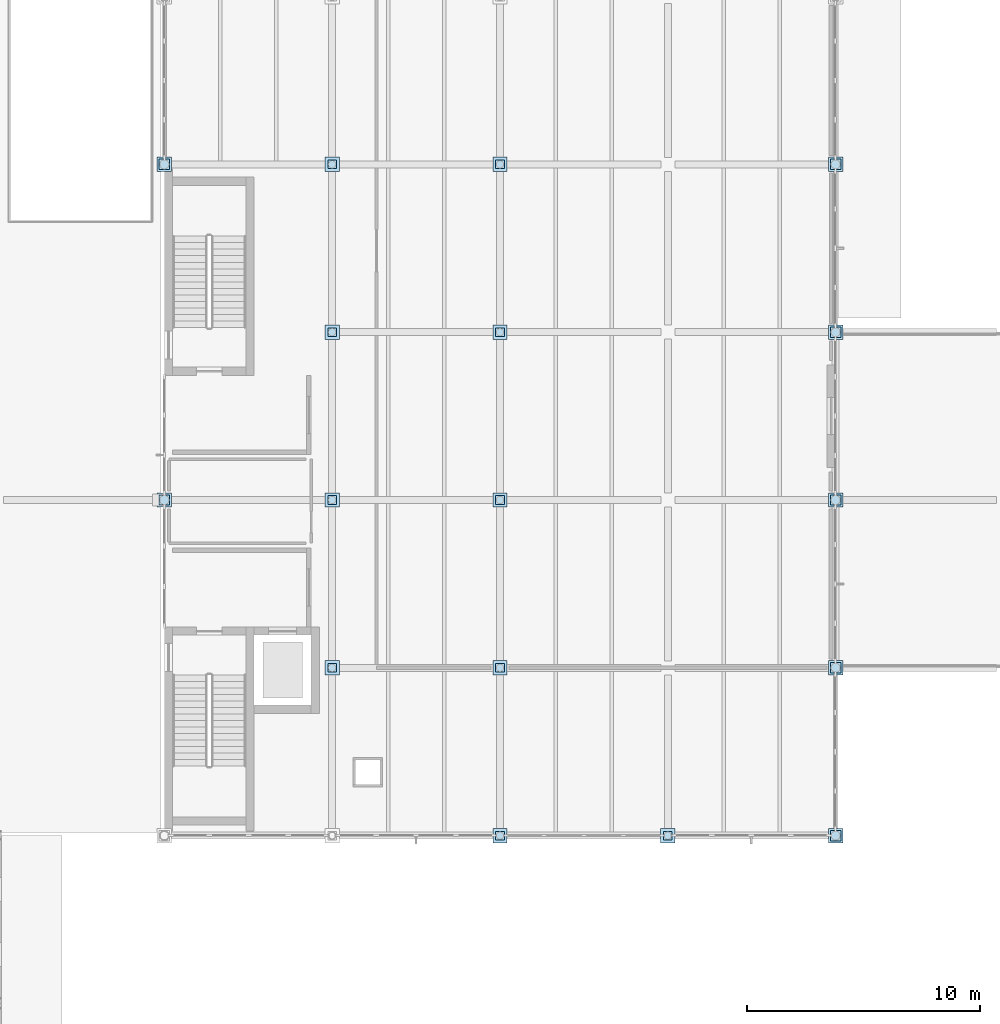
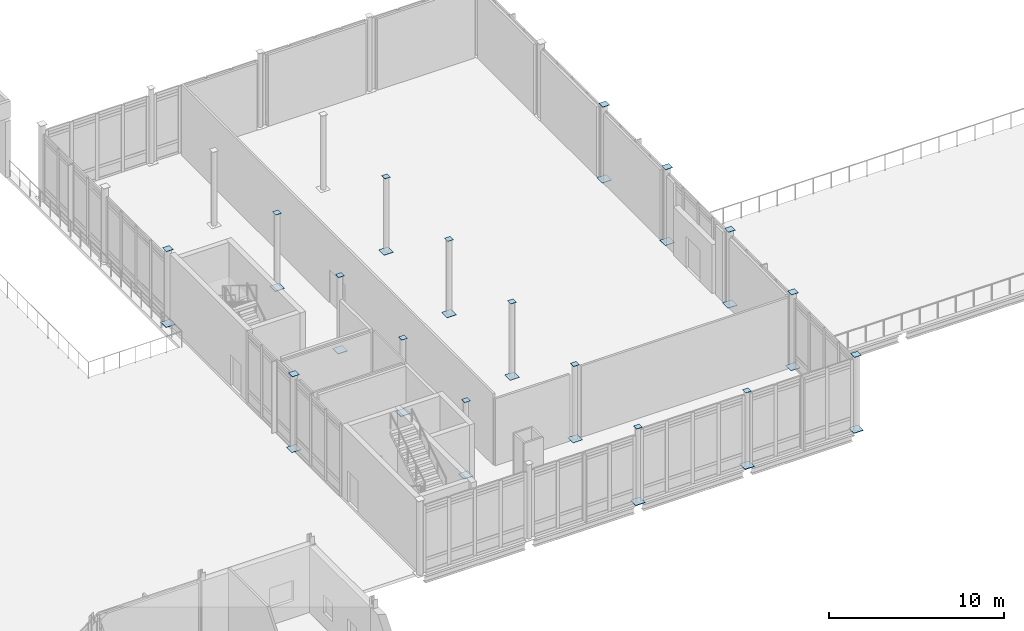
# One storey, part 54 of 89: 34 plates.
"""IFC4 building model written with IfcOpenShell, lengths in metres."""

from ifc_helpers import new_model, si_unit, direction, frame, origin, origin_2d, place, context, subcontext, project, spatial, rectangle, extrude, material, layer, layer_set, type_object, element, save


model = new_model("IFC4")

# Units and contexts
model_context = context("Model", 3, precision=1e-05, world=origin(), true_north=direction((0.0, 1.0)))
body_context = subcontext(model_context, "Body", "Model", "MODEL_VIEW")
ifc_project = project(units=[si_unit("LENGTHUNIT", "METRE"), si_unit("AREAUNIT", "SQUARE_METRE"), si_unit("VOLUMEUNIT", "CUBIC_METRE"), si_unit("PLANEANGLEUNIT", "RADIAN"), si_unit("MASSUNIT", "GRAM", prefix="KILO")], contexts=[model_context])

# Site, building, storey
site_placement = place(None, origin())
site = spatial("IfcSite", under=ifc_project, at=site_placement, CompositionType="ELEMENT")
building_placement = place(site_placement, origin())
building = spatial("IfcBuilding", under=site, at=building_placement, Name="Zarrinpeak Specialist Clinic", CompositionType="ELEMENT")
storey_placement = place(building_placement, origin())
storey = spatial("IfcBuildingStorey", under=building, at=storey_placement, Name="L00", CompositionType="ELEMENT", Elevation=0.0)

# Plates
ifc_material = material(Name="Steel S355", Category="steel")
ifc_layer_1 = layer(ifc_material, 0.035888671875)
ifc_layer_set_1 = layer_set([ifc_layer_1], Name="Steel S355")
plate_type_1 = type_object("IfcPlateType", Name="PL-BP500", PredefinedType="SHEET", material=ifc_layer_set_1)
for number, where, z_axis, x_axis, name in (
    (1, (93.60009765625, 43.199951171875, -0.03173828125), (0.0, 0.0, 1.0), (1.0, 0.0, 0.0), "L00 Hollow Column Baseplate CCAP-B-010"),
    (2, (93.60009765625, 57.60009765625, -0.03173828125), (0.0, 0.0, 1.0), (1.0, 0.0, 0.0), "L00 Hollow Column Baseplate CCAP-B-012"),
    (3, (100.800048828125, 36.0, -0.03173828125), (0.0, 0.0, 1.0), (1.0, 0.0, 0.0), "L00 Hollow Column Baseplate CCAP-B-020"),
    (4, (100.800048828125, 43.199951171875, -0.03173828125), (0.0, 0.0, 1.0), (1.0, 0.0, 0.0), "L00 Hollow Column Baseplate CCAP-B-022"),
    (5, (100.800048828125, 50.39990234375, -0.03173828125), (0.0, 0.0, 1.0), (1.0, 0.0, 0.0), "L00 Hollow Column Baseplate CCAP-B-024"),
    (6, (100.800048828125, 57.60009765625, -0.03173828125), (0.0, 0.0, 1.0), (1.0, 0.0, 0.0), "L00 Hollow Column Baseplate CCAP-B-026"),
    (7, (108.0, 28.800048828125, -0.03173828125), (0.0, 0.0, 1.0), (1.0, 0.0, 0.0), "L00 Hollow Column Baseplate CCAP-B-032"),
    (8, (108.0, 36.0, -0.03173828125), (0.0, 0.0, 1.0), (1.0, 0.0, 0.0), "L00 Hollow Column Baseplate CCAP-B-034"),
    (9, (108.0, 43.199951171875, -0.03173828125), (0.0, 0.0, 1.0), (1.0, 0.0, 0.0), "L00 Hollow Column Baseplate CCAP-B-036"),
    (10, (108.0, 50.39990234375, -0.03173828125), (0.0, 0.0, 1.0), (1.0, 0.0, 0.0), "L00 Hollow Column Baseplate CCAP-B-038"),
    (11, (108.0, 57.60009765625, -0.03173828125), (0.0, 0.0, 1.0), (1.0, 0.0, 0.0), "L00 Hollow Column Baseplate CCAP-B-040"),
    (12, (115.199951171875, 28.800048828125, -0.03173828125), (0.0, 0.0, 1.0), (1.0, 0.0, 0.0), "L00 Hollow Column Baseplate CCAP-B-046"),
    (13, (122.39990234375, 28.800048828125, -0.03173828125), (0.0, 0.0, 1.0), (1.0, 0.0, 0.0), "L00 Hollow Column Baseplate CCAP-B-050"),
    (14, (122.39990234375, 36.0, -0.03173828125), (0.0, 0.0, 1.0), (1.0, 0.0, 0.0), "L00 Hollow Column Baseplate CCAP-B-052"),
    (15, (122.39990234375, 43.199951171875, -0.03173828125), (0.0, 0.0, 1.0), (1.0, 0.0, 0.0), "L00 Hollow Column Baseplate CCAP-B-054"),
    (16, (122.39990234375, 50.39990234375, -0.03173828125), (0.0, 0.0, 1.0), (1.0, 0.0, 0.0), "L00 Hollow Column Baseplate CCAP-B-056"),
    (17, (122.39990234375, 57.60009765625, -0.03173828125), (0.0, 0.0, 1.0), (1.0, 0.0, 0.0), "L00 Hollow Column Baseplate CCAP-B-058"),
):
    element("IfcPlate", number, at=place(storey_placement, frame(where, z_axis=z_axis, x_axis=x_axis)), inside=storey, type_object=plate_type_1, Name=name, PredefinedType="SHEET", context=body_context, shape_type="SweptSolid", body=[
        extrude(rectangle(XDim=0.6201171875, YDim=0.6201171875, at=origin_2d()), origin(), (0.0, 0.0, 1.0), 0.035888671875),
    ])
ifc_layer_2 = layer(ifc_material, 0.02001953125)
ifc_layer_set_2 = layer_set([ifc_layer_2], Name="Steel S355")
plate_type_2 = type_object("IfcPlateType", Name="PL-CAP324", PredefinedType="SHEET", material=ifc_layer_set_2)
for number, where, z_axis, x_axis, name in (
    (18, (100.800048828125, 36.0, 5.196044921875), (0.0, 0.0, 1.0), (1.0, 0.0, 0.0), "L00 Hollow Column Top Cap Plate CCAP-T-019"),
    (19, (100.800048828125, 43.199951171875, 5.196044921875), (0.0, 0.0, 1.0), (1.0, 0.0, 0.0), "L00 Hollow Column Top Cap Plate CCAP-T-021"),
    (20, (100.800048828125, 50.39990234375, 5.196044921875), (0.0, 0.0, 1.0), (1.0, 0.0, 0.0), "L00 Hollow Column Top Cap Plate CCAP-T-023"),
    (21, (100.800048828125, 57.60009765625, 5.196044921875), (0.0, 0.0, 1.0), (1.0, 0.0, 0.0), "L00 Hollow Column Top Cap Plate CCAP-T-025"),
    (22, (108.0, 28.800048828125, 5.196044921875), (0.0, 0.0, 1.0), (1.0, 0.0, 0.0), "L00 Hollow Column Top Cap Plate CCAP-T-031"),
    (23, (108.0, 36.0, 5.196044921875), (0.0, 0.0, 1.0), (1.0, 0.0, 0.0), "L00 Hollow Column Top Cap Plate CCAP-T-033"),
    (24, (108.0, 43.199951171875, 5.196044921875), (0.0, 0.0, 1.0), (1.0, 0.0, 0.0), "L00 Hollow Column Top Cap Plate CCAP-T-035"),
    (25, (108.0, 50.39990234375, 5.196044921875), (0.0, 0.0, 1.0), (1.0, 0.0, 0.0), "L00 Hollow Column Top Cap Plate CCAP-T-037"),
    (26, (108.0, 57.60009765625, 5.196044921875), (0.0, 0.0, 1.0), (1.0, 0.0, 0.0), "L00 Hollow Column Top Cap Plate CCAP-T-039"),
    (27, (115.199951171875, 28.800048828125, 5.196044921875), (0.0, 0.0, 1.0), (1.0, 0.0, 0.0), "L00 Hollow Column Top Cap Plate CCAP-T-045"),
):
    element("IfcPlate", number, at=place(storey_placement, frame(where, z_axis=z_axis, x_axis=x_axis)), inside=storey, type_object=plate_type_2, Name=name, PredefinedType="SHEET", context=body_context, shape_type="SweptSolid", body=[
        extrude(rectangle(XDim=0.3701171875, YDim=0.3701171875, at=origin_2d()), origin(), (0.0, 0.0, 1.0), 0.02001953125),
    ])
ifc_layer_3 = layer(ifc_material, 0.02197265625)
ifc_layer_set_3 = layer_set([ifc_layer_3], Name="Steel S355")
plate_type_3 = type_object("IfcPlateType", Name="PL-CAP406", PredefinedType="SHEET", material=ifc_layer_set_3)
for number, where, z_axis, x_axis, name in (
    (28, (93.60009765625, 43.199951171875, 5.196044921875), (0.0, 0.0, 1.0), (1.0, 0.0, 0.0), "L00 Hollow Column Top Cap Plate CCAP-T-009"),
    (29, (93.60009765625, 57.60009765625, 5.196044921875), (0.0, 0.0, 1.0), (1.0, 0.0, 0.0), "L00 Hollow Column Top Cap Plate CCAP-T-011"),
    (30, (122.39990234375, 28.800048828125, 5.196044921875), (0.0, 0.0, 1.0), (1.0, 0.0, 0.0), "L00 Hollow Column Top Cap Plate CCAP-T-049"),
    (31, (122.39990234375, 36.0, 5.196044921875), (0.0, 0.0, 1.0), (1.0, 0.0, 0.0), "L00 Hollow Column Top Cap Plate CCAP-T-051"),
    (32, (122.39990234375, 43.199951171875, 5.196044921875), (0.0, 0.0, 1.0), (1.0, 0.0, 0.0), "L00 Hollow Column Top Cap Plate CCAP-T-053"),
    (33, (122.39990234375, 50.39990234375, 5.196044921875), (0.0, 0.0, 1.0), (1.0, 0.0, 0.0), "L00 Hollow Column Top Cap Plate CCAP-T-055"),
    (34, (122.39990234375, 57.60009765625, 5.196044921875), (0.0, 0.0, 1.0), (1.0, 0.0, 0.0), "L00 Hollow Column Top Cap Plate CCAP-T-057"),
):
    element("IfcPlate", number, at=place(storey_placement, frame(where, z_axis=z_axis, x_axis=x_axis)), inside=storey, type_object=plate_type_3, Name=name, PredefinedType="SHEET", context=body_context, shape_type="SweptSolid", body=[
        extrude(rectangle(XDim=0.449951171875, YDim=0.449951171875, at=origin_2d()), origin(), (0.0, 0.0, 1.0), 0.02197265625),
    ])

save(model, "model.ifc")
